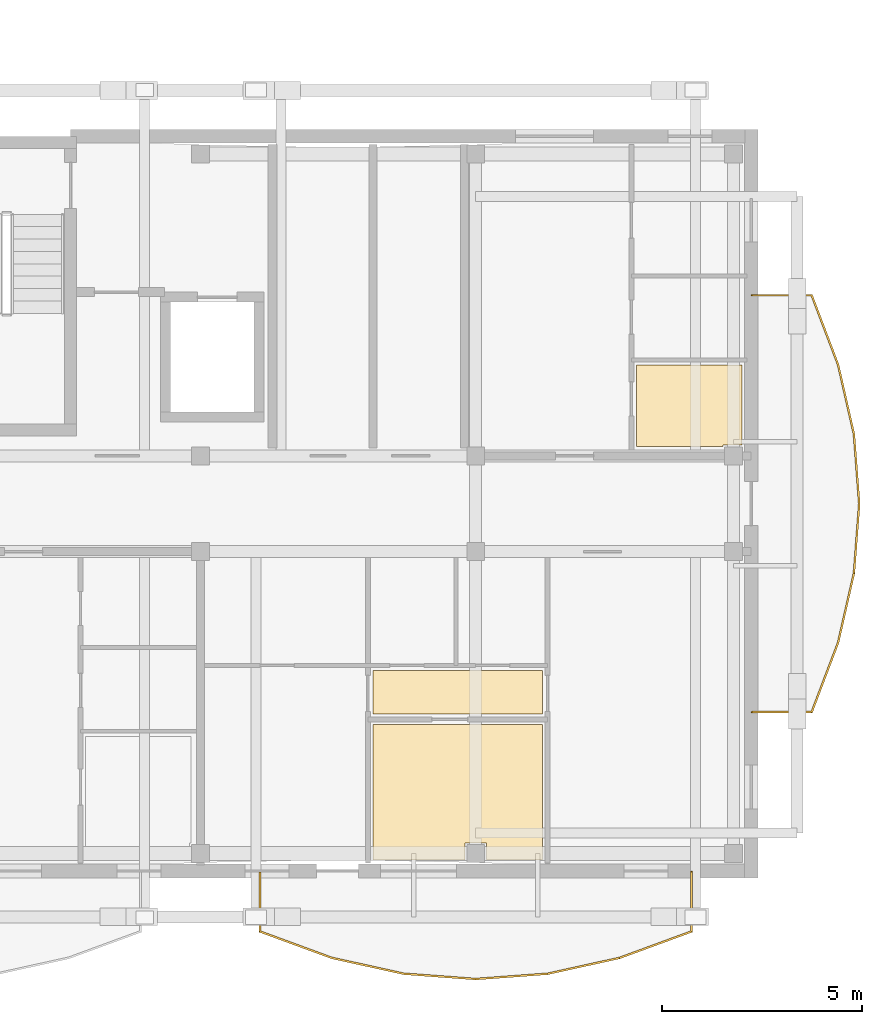
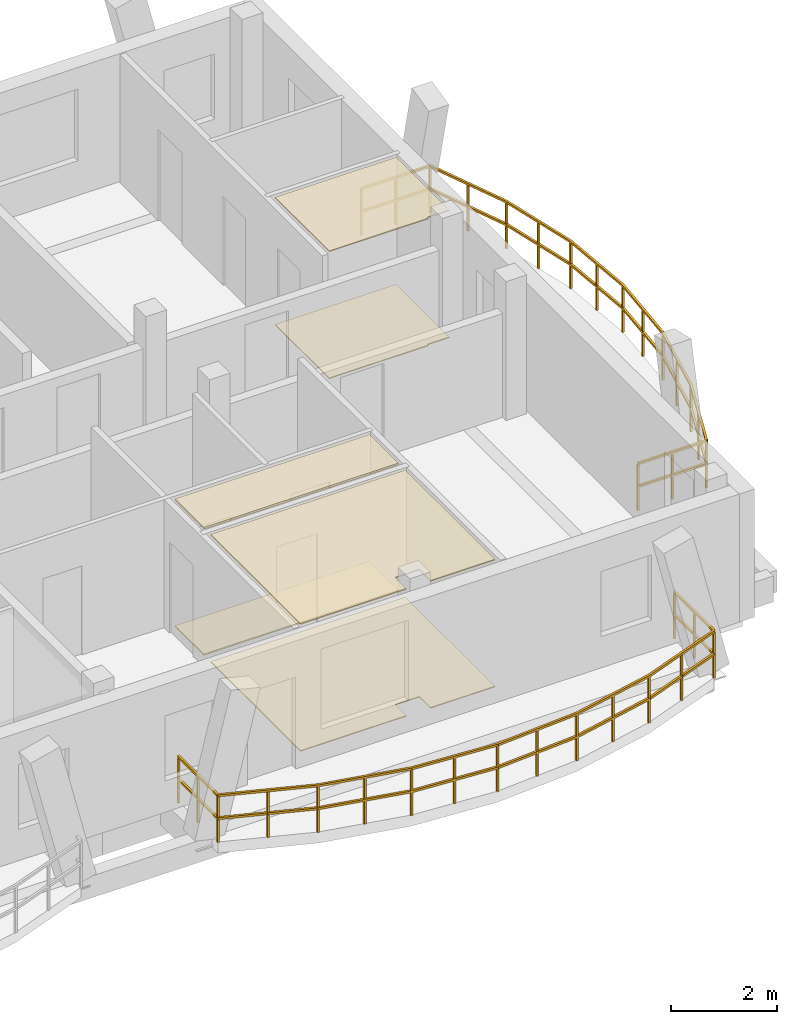
# One storey, part 46 of 48: 6 coverings, 2 railings.
"""IFC4 building model written with IfcOpenShell, lengths in metres."""

from ifc_helpers import new_model, si_unit, direction, frame, origin, origin_2d, place, context, subcontext, project, spatial, polyline, rectangle, outline, extrude, material, layer, layer_set, type_object, element, save


model = new_model("IFC4")

# Units and contexts
model_context = context("Model", 3, precision=1e-05, world=origin(), true_north=direction((0.0, 1.0)))
body_context = subcontext(model_context, "Body", "Model", "MODEL_VIEW")
ifc_project = project(units=[si_unit("LENGTHUNIT", "METRE"), si_unit("AREAUNIT", "SQUARE_METRE"), si_unit("VOLUMEUNIT", "CUBIC_METRE"), si_unit("PLANEANGLEUNIT", "RADIAN"), si_unit("MASSUNIT", "GRAM", prefix="KILO")], contexts=[model_context])

# Site, building, storey
site_placement = place(None, origin())
site = spatial("IfcSite", under=ifc_project, at=site_placement, CompositionType="ELEMENT")
building_placement = place(site_placement, origin())
building = spatial("IfcBuilding", under=site, at=building_placement, Name="Zavelmont Quarter", CompositionType="ELEMENT")
storey_placement = place(building_placement, frame((0.0, 0.0, 17.60009765625)))
storey = spatial("IfcBuildingStorey", under=building, at=storey_placement, Name="L05", CompositionType="ELEMENT", Elevation=17.60009765625)

# Coverings
ifc_material_1 = material(Name="Perforated acoustic gypsum board")
ifc_layer_1 = layer(ifc_material_1, 0.02490234375)
ifc_layer_set_1 = layer_set([ifc_layer_1], Name="Perforated acoustic gypsum board")
covering_type_1 = type_object("IfcCoveringType", Name="CV-CL01", PredefinedType="CEILING", material=ifc_layer_set_1)
covering_1_placement = place(storey_placement, frame((0.0, 0.0, 2.9248046875)))
element("IfcCovering", 1, at=covering_1_placement, inside=storey, type_object=covering_type_1, Name="L05 Master Bedroom acoustic ceiling", PredefinedType="CEILING", context=body_context, shape_type="SweptSolid", body=[
    extrude(outline(polyline([(158.530029296875, 3.669921875), (162.77001953125, 3.669921875), (162.77001953125, 0.280029296875), (161.364990234375, 0.280029296875), (161.364990234375, 0.705078125), (160.8349609375, 0.705078125), (160.8349609375, 0.280029296875), (158.530029296875, 0.280029296875), (158.530029296875, 3.669921875)])), origin(), (0.0, 0.0, 1.0), 0.025146484375),
])
covering_2_placement = place(storey_placement, frame((0.0, 0.0, 2.9248046875)))
element("IfcCovering", 2, at=covering_2_placement, inside=storey, type_object=covering_type_1, Name="L05 Kitchen acoustic ceiling", PredefinedType="CEILING", context=body_context, shape_type="SweptSolid", body=[
    extrude(outline(polyline([(165.1298828125, 12.669921875), (167.77001953125, 12.669921875), (167.77001953125, 10.6650390625), (167.294921875, 10.6650390625), (167.294921875, 10.6298828125), (165.1298828125, 10.6298828125), (165.1298828125, 12.669921875)])), origin(), (0.0, 0.0, 1.0), 0.025146484375),
])
ifc_material_2 = material(Name="Slatted European ash acoustic baffle ceiling")
ifc_layer_2 = layer(ifc_material_2, 0.0400390625)
ifc_layer_set_2 = layer_set([ifc_layer_2], Name="Slatted European ash acoustic baffle ceiling")
covering_type_2 = type_object("IfcCoveringType", Name="CV-CL02", PredefinedType="CEILING", material=ifc_layer_set_2)
covering_3_placement = place(storey_placement, frame((0.0, 0.0, 2.909912109375)))
element("IfcCovering", 3, at=covering_3_placement, inside=storey, type_object=covering_type_2, Name="L05 Apartment Hall acoustic ceiling", PredefinedType="CEILING", context=body_context, shape_type="SweptSolid", body=[
    extrude(outline(polyline([(158.530029296875, 5.02001953125), (162.77001953125, 5.02001953125), (162.77001953125, 3.929931640625), (158.530029296875, 3.929931640625), (158.530029296875, 5.02001953125)])), origin(), (0.0, 0.0, 1.0), 0.0400390625),
])
ifc_material_3 = material(Name="Engineered European oak parquet")
ifc_layer_3 = layer(ifc_material_3, 0.02197265625)
ifc_layer_set_3 = layer_set([ifc_layer_3], Name="Engineered European oak parquet")
covering_type_3 = type_object("IfcCoveringType", Name="CV-FL01", PredefinedType="FLOORING", material=ifc_layer_set_3)
covering_4_placement = place(storey_placement, origin())
element("IfcCovering", 4, at=covering_4_placement, inside=storey, type_object=covering_type_3, Name="L05 Master Bedroom floor finish", PredefinedType="FLOORING", context=body_context, shape_type="SweptSolid", body=[
    extrude(outline(polyline([(158.530029296875, 3.669921875), (162.77001953125, 3.669921875), (162.77001953125, 0.280029296875), (161.364990234375, 0.280029296875), (161.364990234375, 0.705078125), (160.8349609375, 0.705078125), (160.8349609375, 0.280029296875), (158.530029296875, 0.280029296875), (158.530029296875, 3.669921875)])), origin(), (0.0, 0.0, 1.0), 0.02197265625),
])
covering_5_placement = place(storey_placement, origin())
element("IfcCovering", 5, at=covering_5_placement, inside=storey, type_object=covering_type_3, Name="L05 Kitchen floor finish", PredefinedType="FLOORING", context=body_context, shape_type="SweptSolid", body=[
    extrude(outline(polyline([(165.1298828125, 12.669921875), (167.77001953125, 12.669921875), (167.77001953125, 10.6650390625), (167.294921875, 10.6650390625), (167.294921875, 10.6298828125), (165.1298828125, 10.6298828125), (165.1298828125, 12.669921875)])), origin(), (0.0, 0.0, 1.0), 0.02197265625),
])
ifc_material_4 = material(Name="Honed Belgian bluestone tile", Category="masonry")
ifc_layer_4 = layer(ifc_material_4, 0.030029296875)
ifc_layer_set_4 = layer_set([ifc_layer_4], Name="Honed Belgian bluestone tile")
covering_type_4 = type_object("IfcCoveringType", Name="CV-FL02", PredefinedType="FLOORING", material=ifc_layer_set_4)
covering_6_placement = place(storey_placement, origin())
element("IfcCovering", 6, at=covering_6_placement, inside=storey, type_object=covering_type_4, Name="L05 Apartment Hall floor finish", PredefinedType="FLOORING", context=body_context, shape_type="SweptSolid", body=[
    extrude(outline(polyline([(158.530029296875, 5.02001953125), (162.77001953125, 5.02001953125), (162.77001953125, 3.929931640625), (158.530029296875, 3.929931640625), (158.530029296875, 5.02001953125)])), origin(), (0.0, 0.0, 1.0), 0.02978515625),
])

# Railings
ifc_material_5 = material(Name="Powder-coated steel and tempered double safety glass", Category="steel")
railing_type = type_object("IfcRailingType", Name="RL-BAL1", PredefinedType="BALUSTRADE", material=ifc_material_5)
railing_1_placement = place(storey_placement, frame((155.693115234375, -0.02001953125, 0.0)))
element("IfcRailing", 7, at=railing_1_placement, inside=storey, type_object=railing_type, Name="L05 Block D curved balcony guard RL-BAL1", PredefinedType="BALUSTRADE", context=body_context, shape_type="SweptSolid", body=[
    extrude(rectangle(XDim=0.048095703125, YDim=0.048095703125, at=origin_2d()), frame((0.0, 0.0, 1.076171875), z_axis=(0.0, -1.0, 0.0), x_axis=(1.0, 0.0, 0.0)), (0.0, 0.0, 1.0), 1.495849609375),
    extrude(rectangle(XDim=0.048095703125, YDim=0.048095703125, at=origin_2d()), frame((0.0, 0.0, 0.550048828125), z_axis=(0.0, -1.0, 0.0), x_axis=(1.0, 0.0, 0.0)), (0.0, 0.0, 1.0), 1.495849609375),
    extrude(rectangle(XDim=0.048095703125, YDim=0.048095703125, at=origin_2d()), frame((0.0, -1.495849609375, 1.076171875), z_axis=(0.938741978736, -0.344620802272, 0.0), x_axis=(0.344620802272, 0.938741978736, 0.0)), (0.0, 0.0, 1.0), 1.919921875),
    extrude(rectangle(XDim=0.048095703125, YDim=0.048095703125, at=origin_2d()), frame((0.0, -1.495849609375, 0.550048828125), z_axis=(0.938741978736, -0.344620802272, 0.0), x_axis=(0.344620802272, 0.938741978736, 0.0)), (0.0, 0.0, 1.0), 1.919921875),
    extrude(rectangle(XDim=0.048095703125, YDim=0.048095703125, at=origin_2d()), frame((1.80224609375, -2.157470703125, 1.076171875), z_axis=(0.976562225291, -0.21523526694, 0.0), x_axis=(0.21523526694, 0.976562225291, 0.0)), (0.0, 0.0, 1.0), 1.845458984375),
    extrude(rectangle(XDim=0.048095703125, YDim=0.048095703125, at=origin_2d()), frame((1.80224609375, -2.157470703125, 0.550048828125), z_axis=(0.976562225291, -0.21523526694, 0.0), x_axis=(0.21523526694, 0.976562225291, 0.0)), (0.0, 0.0, 1.0), 1.845458984375),
    extrude(rectangle(XDim=0.048095703125, YDim=0.048095703125, at=origin_2d()), frame((3.6044921875, -2.5546875, 1.076171875), z_axis=(0.997316190089, -0.073214868621, 0.0), x_axis=(0.073214868621, 0.997316190089, 0.0)), (0.0, 0.0, 1.0), 1.807373046875),
    extrude(rectangle(XDim=0.048095703125, YDim=0.048095703125, at=origin_2d()), frame((3.6044921875, -2.5546875, 0.550048828125), z_axis=(0.997316190089, -0.073214868621, 0.0), x_axis=(0.073214868621, 0.997316190089, 0.0)), (0.0, 0.0, 1.0), 1.807373046875),
    extrude(rectangle(XDim=0.048095703125, YDim=0.048095703125, at=origin_2d()), frame((5.406982421875, -2.68701171875, 1.076171875), z_axis=(0.997315465842, 0.073224733471, 0.0), x_axis=(-0.073224733471, 0.997315465842, 0.0)), (0.0, 0.0, 1.0), 1.80712890625),
    extrude(rectangle(XDim=0.048095703125, YDim=0.048095703125, at=origin_2d()), frame((5.406982421875, -2.68701171875, 0.550048828125), z_axis=(0.997315465842, 0.073224733471, 0.0), x_axis=(-0.073224733471, 0.997315465842, 0.0)), (0.0, 0.0, 1.0), 1.80712890625),
    extrude(rectangle(XDim=0.048095703125, YDim=0.048095703125, at=origin_2d()), frame((7.209228515625, -2.5546875, 1.076171875), z_axis=(0.976562225291, 0.21523526694, 0.0), x_axis=(-0.21523526694, 0.976562225291, 0.0)), (0.0, 0.0, 1.0), 1.845458984375),
    extrude(rectangle(XDim=0.048095703125, YDim=0.048095703125, at=origin_2d()), frame((7.209228515625, -2.5546875, 0.550048828125), z_axis=(0.976562225291, 0.21523526694, 0.0), x_axis=(-0.21523526694, 0.976562225291, 0.0)), (0.0, 0.0, 1.0), 1.845458984375),
    extrude(rectangle(XDim=0.048095703125, YDim=0.048095703125, at=origin_2d()), frame((9.011474609375, -2.157470703125, 1.076171875), z_axis=(0.938757078752, 0.344579667265, 0.0), x_axis=(-0.344579667265, 0.938757078752, 0.0)), (0.0, 0.0, 1.0), 1.920166015625),
    extrude(rectangle(XDim=0.048095703125, YDim=0.048095703125, at=origin_2d()), frame((9.011474609375, -2.157470703125, 0.550048828125), z_axis=(0.938757078752, 0.344579667265, 0.0), x_axis=(-0.344579667265, 0.938757078752, 0.0)), (0.0, 0.0, 1.0), 1.920166015625),
    extrude(rectangle(XDim=0.048095703125, YDim=0.048095703125, at=origin_2d()), frame((10.81396484375, -1.495849609375, 1.076171875), z_axis=(0.0, 1.0, 0.0), x_axis=(-1.0, 0.0, 0.0)), (0.0, 0.0, 1.0), 1.495849609375),
    extrude(rectangle(XDim=0.048095703125, YDim=0.048095703125, at=origin_2d()), frame((10.81396484375, -1.495849609375, 0.550048828125), z_axis=(0.0, 1.0, 0.0), x_axis=(-1.0, 0.0, 0.0)), (0.0, 0.0, 1.0), 1.495849609375),
    extrude(rectangle(XDim=0.0419921875, YDim=0.0419921875, at=origin_2d()), origin(), (0.0, 0.0, 1.0), 1.052001953125),
    extrude(rectangle(XDim=0.0419921875, YDim=0.0419921875, at=origin_2d()), frame((0.0, -0.748046875, 0.0)), (0.0, 0.0, 1.0), 1.052001953125),
    extrude(rectangle(XDim=0.0419921875, YDim=0.0419921875, at=origin_2d()), frame((0.0, -1.495849609375, 0.0)), (0.0, 0.0, 1.0), 1.052001953125),
    extrude(rectangle(XDim=0.0419921875, YDim=0.0419921875, at=origin_2d()), frame((0.901123046875, -1.82666015625, 0.0)), (0.0, 0.0, 1.0), 1.052001953125),
    extrude(rectangle(XDim=0.0419921875, YDim=0.0419921875, at=origin_2d()), frame((1.80224609375, -2.157470703125, 0.0)), (0.0, 0.0, 1.0), 1.052001953125),
    extrude(rectangle(XDim=0.0419921875, YDim=0.0419921875, at=origin_2d()), frame((2.703369140625, -2.35595703125, 0.0)), (0.0, 0.0, 1.0), 1.052001953125),
    extrude(rectangle(XDim=0.0419921875, YDim=0.0419921875, at=origin_2d()), frame((3.6044921875, -2.5546875, 0.0)), (0.0, 0.0, 1.0), 1.052001953125),
    extrude(rectangle(XDim=0.0419921875, YDim=0.0419921875, at=origin_2d()), frame((4.505859375, -2.620849609375, 0.0)), (0.0, 0.0, 1.0), 1.052001953125),
    extrude(rectangle(XDim=0.0419921875, YDim=0.0419921875, at=origin_2d()), frame((5.406982421875, -2.68701171875, 0.0)), (0.0, 0.0, 1.0), 1.052001953125),
    extrude(rectangle(XDim=0.0419921875, YDim=0.0419921875, at=origin_2d()), frame((6.30810546875, -2.620849609375, 0.0)), (0.0, 0.0, 1.0), 1.052001953125),
    extrude(rectangle(XDim=0.0419921875, YDim=0.0419921875, at=origin_2d()), frame((7.209228515625, -2.5546875, 0.0)), (0.0, 0.0, 1.0), 1.052001953125),
    extrude(rectangle(XDim=0.0419921875, YDim=0.0419921875, at=origin_2d()), frame((8.1103515625, -2.35595703125, 0.0)), (0.0, 0.0, 1.0), 1.052001953125),
    extrude(rectangle(XDim=0.0419921875, YDim=0.0419921875, at=origin_2d()), frame((9.011474609375, -2.157470703125, 0.0)), (0.0, 0.0, 1.0), 1.052001953125),
    extrude(rectangle(XDim=0.0419921875, YDim=0.0419921875, at=origin_2d()), frame((9.91259765625, -1.82666015625, 0.0)), (0.0, 0.0, 1.0), 1.052001953125),
    extrude(rectangle(XDim=0.0419921875, YDim=0.0419921875, at=origin_2d()), frame((10.81396484375, -1.495849609375, 0.0)), (0.0, 0.0, 1.0), 1.052001953125),
    extrude(rectangle(XDim=0.0419921875, YDim=0.0419921875, at=origin_2d()), frame((10.81396484375, -0.748046875, 0.0)), (0.0, 0.0, 1.0), 1.052001953125),
    extrude(rectangle(XDim=0.0419921875, YDim=0.0419921875, at=origin_2d()), frame((10.81396484375, 0.0, 0.0)), (0.0, 0.0, 1.0), 1.052001953125),
])
railing_2_placement = place(storey_placement, frame((168.02001953125, 3.978271484375, 0.0)))
element("IfcRailing", 8, at=railing_2_placement, inside=storey, type_object=railing_type, Name="L05 Block D curved balcony guard RL-BAL1", PredefinedType="BALUSTRADE", context=body_context, shape_type="SweptSolid", body=[
    extrude(rectangle(XDim=0.048095703125, YDim=0.048095703125, at=origin_2d()), frame((0.0, 0.0, 1.076171875), z_axis=(1.0, 0.0, 0.0), x_axis=(0.0, 1.0, 0.0)), (0.0, 0.0, 1.0), 1.495849609375),
    extrude(rectangle(XDim=0.048095703125, YDim=0.048095703125, at=origin_2d()), frame((0.0, 0.0, 0.550048828125), z_axis=(1.0, 0.0, 0.0), x_axis=(0.0, 1.0, 0.0)), (0.0, 0.0, 1.0), 1.495849609375),
    extrude(rectangle(XDim=0.048095703125, YDim=0.048095703125, at=origin_2d()), frame((1.495849609375, 0.0, 1.076171875), z_axis=(0.355286495435, 0.934757458468, 0.0), x_axis=(-0.934757458468, 0.355286495435, 0.0)), (0.0, 0.0, 1.0), 1.8623046875),
    extrude(rectangle(XDim=0.048095703125, YDim=0.048095703125, at=origin_2d()), frame((1.495849609375, 0.0, 0.550048828125), z_axis=(0.355286495435, 0.934757458468, 0.0), x_axis=(-0.934757458468, 0.355286495435, 0.0)), (0.0, 0.0, 1.0), 1.8623046875),
    extrude(rectangle(XDim=0.048095703125, YDim=0.048095703125, at=origin_2d()), frame((2.157470703125, 1.74072265625, 1.076171875), z_axis=(0.222501731474, 0.974932294824, 0.0), x_axis=(-0.974932294824, 0.222501731474, 0.0)), (0.0, 0.0, 1.0), 1.78515625),
    extrude(rectangle(XDim=0.048095703125, YDim=0.048095703125, at=origin_2d()), frame((2.157470703125, 1.74072265625, 0.550048828125), z_axis=(0.222501731474, 0.974932294824, 0.0), x_axis=(-0.974932294824, 0.222501731474, 0.0)), (0.0, 0.0, 1.0), 1.78515625),
    extrude(rectangle(XDim=0.048095703125, YDim=0.048095703125, at=origin_2d()), frame((2.5546875, 3.481201171875, 1.076171875), z_axis=(0.075808715027, 0.997122379012, 0.0), x_axis=(-0.997122379012, 0.075808715027, 0.0)), (0.0, 0.0, 1.0), 1.74560546875),
    extrude(rectangle(XDim=0.048095703125, YDim=0.048095703125, at=origin_2d()), frame((2.5546875, 3.481201171875, 0.550048828125), z_axis=(0.075808715027, 0.997122379012, 0.0), x_axis=(-0.997122379012, 0.075808715027, 0.0)), (0.0, 0.0, 1.0), 1.74560546875),
    extrude(rectangle(XDim=0.048095703125, YDim=0.048095703125, at=origin_2d()), frame((2.68701171875, 5.2216796875, 1.076171875), z_axis=(-0.075798143759, 0.997123182662, 0.0), x_axis=(-0.997123182662, -0.075798143759, 0.0)), (0.0, 0.0, 1.0), 1.745849609375),
    extrude(rectangle(XDim=0.048095703125, YDim=0.048095703125, at=origin_2d()), frame((2.68701171875, 5.2216796875, 0.550048828125), z_axis=(-0.075798143759, 0.997123182662, 0.0), x_axis=(-0.997123182662, -0.075798143759, 0.0)), (0.0, 0.0, 1.0), 1.745849609375),
    extrude(rectangle(XDim=0.048095703125, YDim=0.048095703125, at=origin_2d()), frame((2.5546875, 6.96240234375, 1.076171875), z_axis=(-0.222501731474, 0.974932294824, 0.0), x_axis=(-0.974932294824, -0.222501731474, 0.0)), (0.0, 0.0, 1.0), 1.78515625),
    extrude(rectangle(XDim=0.048095703125, YDim=0.048095703125, at=origin_2d()), frame((2.5546875, 6.96240234375, 0.550048828125), z_axis=(-0.222501731474, 0.974932294824, 0.0), x_axis=(-0.974932294824, -0.222501731474, 0.0)), (0.0, 0.0, 1.0), 1.78515625),
    extrude(rectangle(XDim=0.048095703125, YDim=0.048095703125, at=origin_2d()), frame((2.157470703125, 8.702880859375, 1.076171875), z_axis=(-0.355330040247, 0.934740906614, 0.0), x_axis=(-0.934740906614, -0.355330040247, 0.0)), (0.0, 0.0, 1.0), 1.862060546875),
    extrude(rectangle(XDim=0.048095703125, YDim=0.048095703125, at=origin_2d()), frame((2.157470703125, 8.702880859375, 0.550048828125), z_axis=(-0.355330040247, 0.934740906614, 0.0), x_axis=(-0.934740906614, -0.355330040247, 0.0)), (0.0, 0.0, 1.0), 1.862060546875),
    extrude(rectangle(XDim=0.048095703125, YDim=0.048095703125, at=origin_2d()), frame((1.495849609375, 10.443359375, 1.076171875), z_axis=(-1.0, 0.0, 0.0), x_axis=(0.0, -1.0, 0.0)), (0.0, 0.0, 1.0), 1.495849609375),
    extrude(rectangle(XDim=0.048095703125, YDim=0.048095703125, at=origin_2d()), frame((1.495849609375, 10.443359375, 0.550048828125), z_axis=(-1.0, 0.0, 0.0), x_axis=(0.0, -1.0, 0.0)), (0.0, 0.0, 1.0), 1.495849609375),
    extrude(rectangle(XDim=0.0419921875, YDim=0.0419921875, at=origin_2d()), origin(), (0.0, 0.0, 1.0), 1.052001953125),
    extrude(rectangle(XDim=0.0419921875, YDim=0.0419921875, at=origin_2d()), frame((0.748046875, 0.0, 0.0)), (0.0, 0.0, 1.0), 1.052001953125),
    extrude(rectangle(XDim=0.0419921875, YDim=0.0419921875, at=origin_2d()), frame((1.495849609375, 0.0, 0.0)), (0.0, 0.0, 1.0), 1.052001953125),
    extrude(rectangle(XDim=0.0419921875, YDim=0.0419921875, at=origin_2d()), frame((1.82666015625, 0.870361328125, 0.0)), (0.0, 0.0, 1.0), 1.052001953125),
    extrude(rectangle(XDim=0.0419921875, YDim=0.0419921875, at=origin_2d()), frame((2.157470703125, 1.74072265625, 0.0)), (0.0, 0.0, 1.0), 1.052001953125),
    extrude(rectangle(XDim=0.0419921875, YDim=0.0419921875, at=origin_2d()), frame((2.35595703125, 2.61083984375, 0.0)), (0.0, 0.0, 1.0), 1.052001953125),
    extrude(rectangle(XDim=0.0419921875, YDim=0.0419921875, at=origin_2d()), frame((2.5546875, 3.481201171875, 0.0)), (0.0, 0.0, 1.0), 1.052001953125),
    extrude(rectangle(XDim=0.0419921875, YDim=0.0419921875, at=origin_2d()), frame((2.620849609375, 4.3515625, 0.0)), (0.0, 0.0, 1.0), 1.052001953125),
    extrude(rectangle(XDim=0.0419921875, YDim=0.0419921875, at=origin_2d()), frame((2.68701171875, 5.2216796875, 0.0)), (0.0, 0.0, 1.0), 1.052001953125),
    extrude(rectangle(XDim=0.0419921875, YDim=0.0419921875, at=origin_2d()), frame((2.620849609375, 6.092041015625, 0.0)), (0.0, 0.0, 1.0), 1.052001953125),
    extrude(rectangle(XDim=0.0419921875, YDim=0.0419921875, at=origin_2d()), frame((2.5546875, 6.96240234375, 0.0)), (0.0, 0.0, 1.0), 1.052001953125),
    extrude(rectangle(XDim=0.0419921875, YDim=0.0419921875, at=origin_2d()), frame((2.35595703125, 7.83251953125, 0.0)), (0.0, 0.0, 1.0), 1.052001953125),
    extrude(rectangle(XDim=0.0419921875, YDim=0.0419921875, at=origin_2d()), frame((2.157470703125, 8.702880859375, 0.0)), (0.0, 0.0, 1.0), 1.052001953125),
    extrude(rectangle(XDim=0.0419921875, YDim=0.0419921875, at=origin_2d()), frame((1.82666015625, 9.5732421875, 0.0)), (0.0, 0.0, 1.0), 1.052001953125),
    extrude(rectangle(XDim=0.0419921875, YDim=0.0419921875, at=origin_2d()), frame((1.495849609375, 10.443359375, 0.0)), (0.0, 0.0, 1.0), 1.052001953125),
    extrude(rectangle(XDim=0.0419921875, YDim=0.0419921875, at=origin_2d()), frame((0.748046875, 10.443359375, 0.0)), (0.0, 0.0, 1.0), 1.052001953125),
    extrude(rectangle(XDim=0.0419921875, YDim=0.0419921875, at=origin_2d()), frame((0.0, 10.443359375, 0.0)), (0.0, 0.0, 1.0), 1.052001953125),
])

save(model, "model.ifc")
